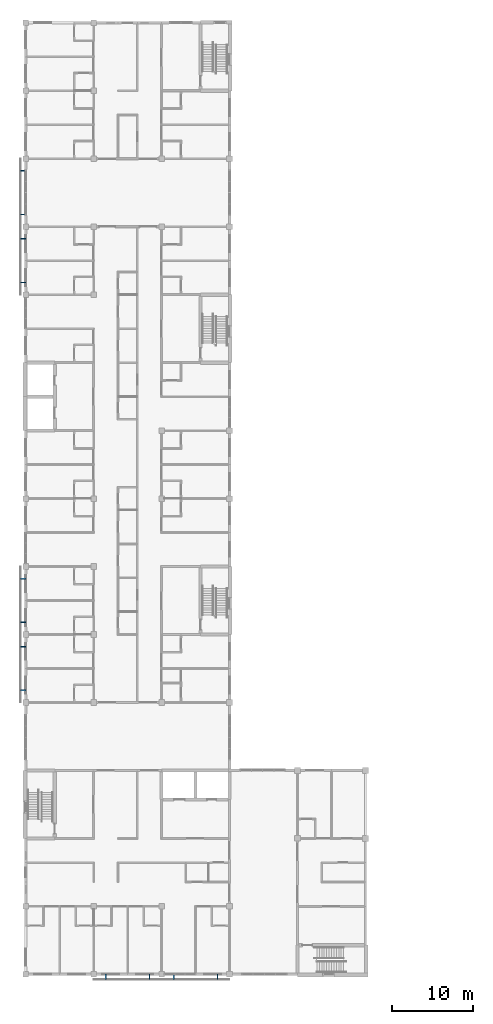
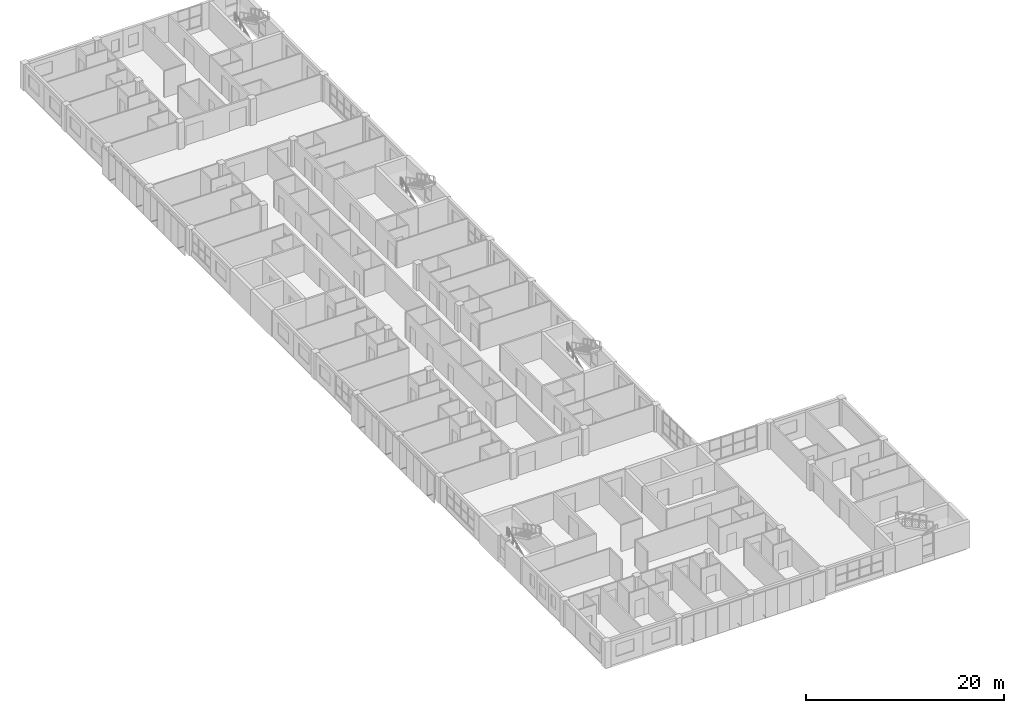
# One storey, part 40 of 46: 12 discrete accessories.
"""IFC4 building model written with IfcOpenShell, lengths in metres."""

from ifc_helpers import new_model, si_unit, direction, frame, origin, origin_2d, place, context, subcontext, project, spatial, hollow_rectangle, extrude, material, material_profile, profile_set, type_object, element, save


model = new_model("IFC4")

# Units and contexts
model_context = context("Model", 3, precision=1e-05, world=origin(), true_north=direction((0.0, 1.0)))
body_context = subcontext(model_context, "Body", "Model", "MODEL_VIEW")
ifc_project = project(units=[si_unit("LENGTHUNIT", "METRE"), si_unit("AREAUNIT", "SQUARE_METRE"), si_unit("VOLUMEUNIT", "CUBIC_METRE"), si_unit("PLANEANGLEUNIT", "RADIAN"), si_unit("MASSUNIT", "GRAM", prefix="KILO")], contexts=[model_context])

# Site, building, storey
site_placement = place(None, origin())
site = spatial("IfcSite", under=ifc_project, at=site_placement, CompositionType="ELEMENT")
building_placement = place(site_placement, origin())
building = spatial("IfcBuilding", under=site, at=building_placement, Name="Yavir Park General Hospital", CompositionType="ELEMENT")
storey_placement = place(building_placement, frame((0.0, 0.0, 18.89990234375)))
storey = spatial("IfcBuildingStorey", under=building, at=storey_placement, Name="L04", CompositionType="ELEMENT", Elevation=18.89990234375)

# Discrete accessories
ifc_material = material(Name="Steel S355", Category="steel")
ifc_material_profile = material_profile(ifc_material, hollow_rectangle(XDim=0.10009765625, YDim=0.06005859375, WallThickness=0.006103515625, InnerFilletRadius=0.006103515625, OuterFilletRadius=0.011962890625, at=origin_2d()), Name="RHS60x100x6")
ifc_profile_set = profile_set([ifc_material_profile], Name="Steel S355")
discrete_accessory_type = type_object("IfcDiscreteAccessoryType", Name="Screen bracket RHS 60 x 100", PredefinedType="BRACKET", material=ifc_profile_set)
for number, where, z_axis, x_axis, name in (
    (1, (9.89990234375, 0.0, -0.02978515625), (0.0, -1.0, 0.0), (1.0, 0.0, 0.0), "Screen bracket S2.2.1"),
    (2, (15.300048828125, 0.0, -0.02978515625), (0.0, -1.0, 0.0), (1.0, 0.0, 0.0), "Screen bracket S2.2.2"),
    (3, (18.300048828125, 0.0, -0.02978515625), (0.0, -1.0, 0.0), (1.0, 0.0, 0.0), "Screen bracket S3.2.1"),
    (4, (23.699951171875, 0.0, -0.02978515625), (0.0, -1.0, 0.0), (1.0, 0.0, 0.0), "Screen bracket S3.2.2"),
    (5, (0.0, 35.10009765625, -0.02978515625), (-1.0, 0.0, 0.0), (0.0, -1.0, 0.0), "Screen bracket W5.2.1"),
    (6, (0.0, 40.5, -0.02978515625), (-1.0, 0.0, 0.0), (0.0, -1.0, 0.0), "Screen bracket W5.2.2"),
    (7, (0.0, 43.5, -0.02978515625), (-1.0, 0.0, 0.0), (0.0, -1.0, 0.0), "Screen bracket W6.2.1"),
    (8, (0.0, 48.89990234375, -0.02978515625), (-1.0, 0.0, 0.0), (0.0, -1.0, 0.0), "Screen bracket W6.2.2"),
    (9, (0.0, 85.5, -0.02978515625), (-1.0, 0.0, 0.0), (0.0, -1.0, 0.0), "Screen bracket W11.2.1"),
    (10, (0.0, 90.89990234375, -0.02978515625), (-1.0, 0.0, 0.0), (0.0, -1.0, 0.0), "Screen bracket W11.2.2"),
    (11, (0.0, 93.89990234375, -0.02978515625), (-1.0, 0.0, 0.0), (0.0, -1.0, 0.0), "Screen bracket W12.2.1"),
    (12, (0.0, 99.300048828125, -0.02978515625), (-1.0, 0.0, 0.0), (0.0, -1.0, 0.0), "Screen bracket W12.2.2"),
):
    element("IfcDiscreteAccessory", number, at=place(storey_placement, frame(where, z_axis=z_axis, x_axis=x_axis)), inside=storey, type_object=discrete_accessory_type, Name=name, PredefinedType="BRACKET", context=body_context, shape_type="SweptSolid", body=[
        extrude(hollow_rectangle(XDim=0.10009765625, YDim=0.06005859375, WallThickness=0.006103515625, InnerFilletRadius=0.006103515625, OuterFilletRadius=0.011962890625, at=origin_2d()), origin(), (0.0, 0.0, 1.0), 0.60009765625),
    ])

save(model, "model.ifc")
